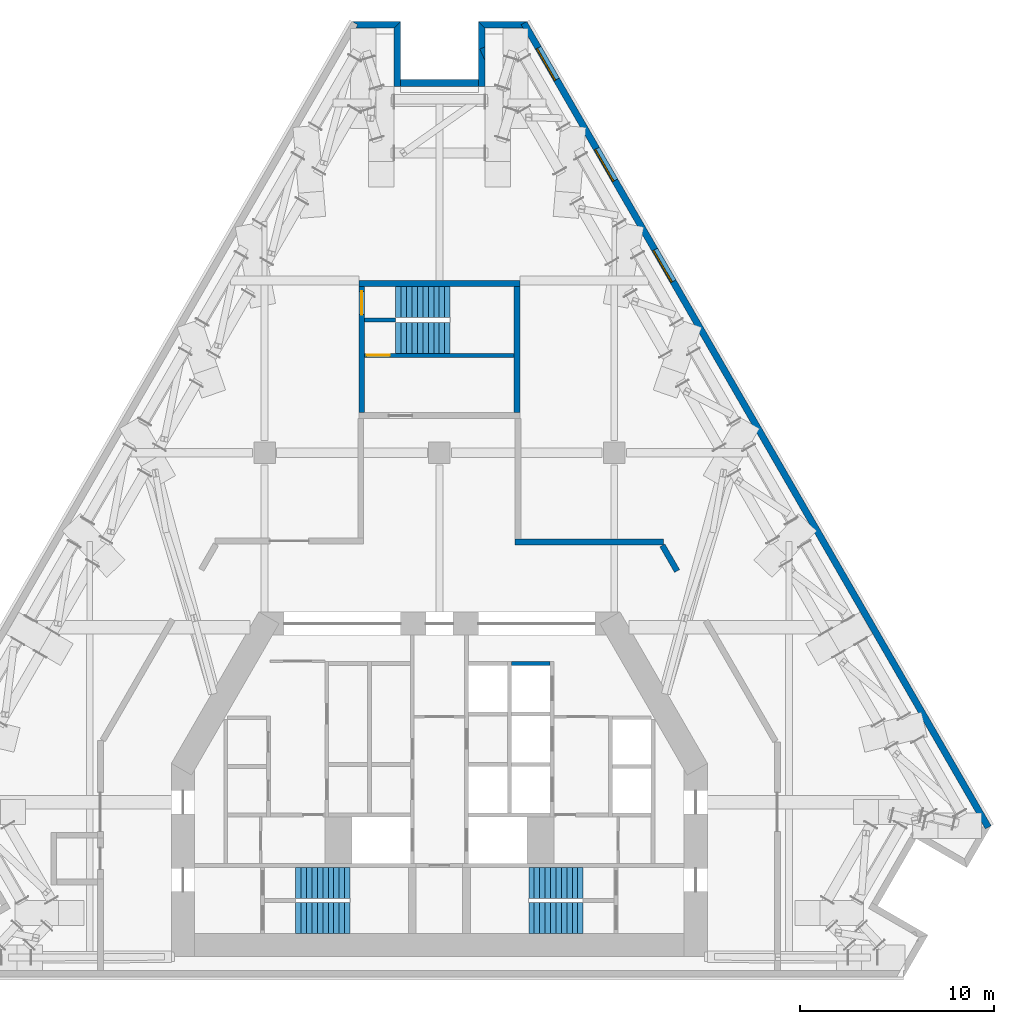
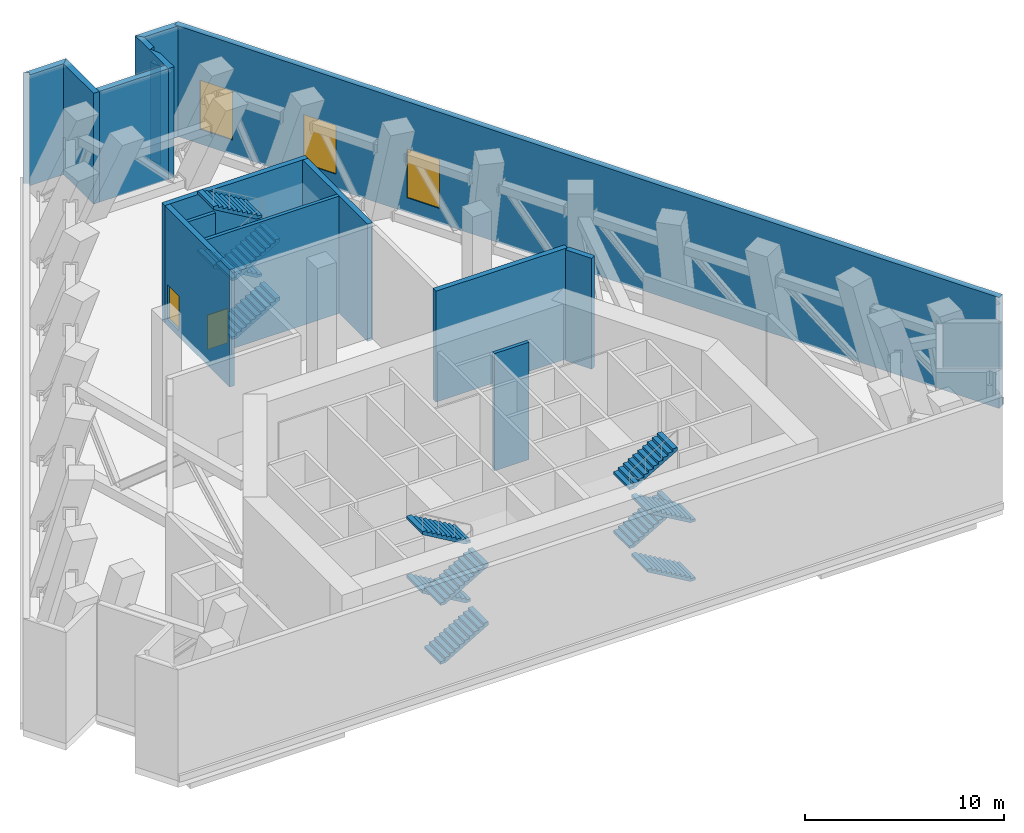
# One storey, part 9 of 13: 15 walls, 12 stair flights, 3 windows, 2 doors, 5 openings, 3 elements without a shape of their own.
"""IFC4 building model written with IfcOpenShell, lengths in metres."""

from ifc_helpers import new_model, si_unit, direction, frame, frame_2d, origin, place, context, subcontext, project, spatial, polyline, rectangle, outline, extrude, material, layer, layer_set, type_object, element, fill, aggregate, save


model = new_model("IFC4")

# Units and contexts
model_context = context("Model", 3, precision=1e-05, world=origin(), true_north=direction((0.0, 1.0)))
body_context = subcontext(model_context, "Body", "Model", "MODEL_VIEW")
ifc_project = project(units=[si_unit("LENGTHUNIT", "METRE"), si_unit("AREAUNIT", "SQUARE_METRE"), si_unit("VOLUMEUNIT", "CUBIC_METRE"), si_unit("PLANEANGLEUNIT", "RADIAN"), si_unit("MASSUNIT", "GRAM", prefix="KILO")], contexts=[model_context])

# Site, building, storey
site_placement = place(None, origin())
site = spatial("IfcSite", under=ifc_project, at=site_placement, CompositionType="ELEMENT")
building_placement = place(site_placement, origin())
building = spatial("IfcBuilding", under=site, at=building_placement, Name="Fogline Exchange Tower", CompositionType="ELEMENT")
storey_placement = place(building_placement, frame((0.0, 0.0, 174.89990234375)))
storey = spatial("IfcBuildingStorey", under=building, at=storey_placement, Name="L39", CompositionType="ELEMENT", Elevation=174.89990234375)

# Wall
ifc_material_1 = material(Name="Concrete C40", Category="concrete")
ifc_layer_1 = layer(ifc_material_1, 0.199951171875)
ifc_layer_set_1 = layer_set([ifc_layer_1], Name="CW20B")
wall_type_1 = type_object("IfcWallType", Name="CW20B", PredefinedType="SOLIDWALL", material=ifc_layer_set_1)
wall_1_placement = place(storey_placement, frame((-3.85009765625, 33.83203125, 0.0), z_axis=(0.0, 0.0, 1.0), x_axis=(1.0, 0.0, 0.0)))
element("IfcWall", 1, at=wall_1_placement, inside=storey, type_object=wall_type_1, Name="Stair separation wall ST3", PredefinedType="SOLIDWALL", context=body_context, shape_type="SweptSolid", body=[
    extrude(rectangle(XDim=1.60009765625, YDim=0.199951171875, at=frame_2d((0.800048828125, 0.0))), origin(), (0.0, 0.0, 1.0), 6.800048828125),
])

# Wall, opening, door
ifc_layer_2 = layer(ifc_material_1, 0.199951171875)
ifc_layer_set_2 = layer_set([ifc_layer_2], Name="CW20R")
wall_type_2 = type_object("IfcWallType", Name="CW20R", PredefinedType="SOLIDWALL", material=ifc_layer_set_2)
wall_2_placement = place(storey_placement, frame((-3.85009765625, 32.007080078125, -0.39990234375), z_axis=(0.0, 0.0, 1.0), x_axis=(1.0, 0.0, 0.0)))
wall_2 = element("IfcWall", 2, at=wall_2_placement, inside=storey, type_object=wall_type_2, Name="Stair enclosure wall ST3", PredefinedType="SOLIDWALL", context=body_context, shape_type="SweptSolid", body=[
    extrude(rectangle(XDim=7.7001953125, YDim=0.199951171875, at=frame_2d((3.85009765625, 0.0))), origin(), (0.0, 0.0, 1.0), 7.199951171875),
])
opening_1_placement = place(wall_2_placement, frame((0.10009765625, 0.0, 0.39990234375)))
opening_1 = element("IfcOpeningElement", 3, at=opening_1_placement, cuts=wall_2, Name="Opening L39-C028", PredefinedType="OPENING", context=body_context, shape_type="SweptSolid", body=[
    extrude(rectangle(XDim=1.199951171875, YDim=2.10009765625, at=frame_2d((0.60009765625, 1.050048828125))), frame((0.0, 0.10986328125, 0.0), z_axis=(0.0, -1.0, 0.0), x_axis=(1.0, 0.0, 0.0)), (0.0, 0.0, 1.0), 0.219970703125),
])
ifc_material_2 = material(Name="Steel and timber fire door", Category="steel")
door_type = type_object("IfcDoorType", Name="D-ST1", OperationType="SINGLE_SWING_LEFT", PredefinedType="DOOR", material=ifc_material_2)
door_1_placement = place(opening_1_placement, origin())
door_1 = element("IfcDoor", 4, at=door_1_placement, inside=storey, type_object=door_type, Name="Stair door ST3", OperationType="SINGLE_SWING_LEFT", OverallHeight=2.10009765625, OverallWidth=1.199951171875, PredefinedType="DOOR", context=body_context, shape_type="SweptSolid", body=[
    extrude(rectangle(XDim=1.199951171875, YDim=2.10009765625, at=frame_2d((0.60009765625, 1.050048828125))), frame((0.0, 0.02490234375, 0.0), z_axis=(0.0, -1.0, 0.0), x_axis=(1.0, 0.0, 0.0)), (0.0, 0.0, 1.0), 0.050048828125),
])
fill(opening_1, door_1)

# Walls
ifc_layer_3 = layer(ifc_material_1, 0.199951171875)
ifc_layer_set_3 = layer_set([ifc_layer_3], Name="CW20S")
wall_type_3 = type_object("IfcWallType", Name="CW20S", PredefinedType="SOLIDWALL", material=ifc_layer_set_3)
wall_3_placement = place(storey_placement, frame((3.699951171875, 16.14990234375, -0.39990234375), z_axis=(0.0, 0.0, 1.0), x_axis=(1.0, 0.0, 0.0)))
element("IfcWall", 5, at=wall_3_placement, inside=storey, type_object=wall_type_3, Name="Lift shaft wall", PredefinedType="SOLIDWALL", context=body_context, shape_type="SweptSolid", body=[
    extrude(rectangle(XDim=2.0, YDim=0.199951171875, at=frame_2d((1.0, 0.0))), origin(), (0.0, 0.0, 1.0), 7.199951171875),
])
ifc_layer_4 = layer(ifc_material_1, 0.300048828125)
ifc_layer_set_4 = layer_set([ifc_layer_4], Name="CW30")
wall_type_4 = type_object("IfcWallType", Name="CW30", PredefinedType="SOLIDWALL", material=ifc_layer_set_4)
wall_4_placement = place(storey_placement, frame((-4.14990234375, 35.70703125, -0.39990234375), z_axis=(0.0, 0.0, 1.0), x_axis=(1.0, 0.0, 0.0)))
element("IfcWall", 6, at=wall_4_placement, inside=storey, type_object=wall_type_4, Name="Stair enclosure wall ST3", PredefinedType="SOLIDWALL", context=body_context, shape_type="SweptSolid", body=[
    extrude(rectangle(XDim=8.2998046875, YDim=0.300048828125, at=frame_2d((4.14990234375, 0.0))), origin(), (0.0, 0.0, 1.0), 7.199951171875),
])

# Wall, opening, door
wall_5_placement = place(storey_placement, frame((-4.0, 29.056884765625, -0.39990234375), z_axis=(0.0, 0.0, 1.0), x_axis=(0.0, 1.0, 0.0)))
wall_5 = element("IfcWall", 7, at=wall_5_placement, inside=storey, type_object=wall_type_4, Name="Stair enclosure wall ST3", PredefinedType="SOLIDWALL", context=body_context, shape_type="SweptSolid", body=[
    extrude(rectangle(XDim=6.5, YDim=0.300048828125, at=frame_2d((3.25, 0.0))), origin(), (0.0, 0.0, 1.0), 7.199951171875),
])
opening_2_placement = place(wall_5_placement, frame((5.050048828125, 0.0, 0.39990234375)))
opening_2 = element("IfcOpeningElement", 8, at=opening_2_placement, cuts=wall_5, Name="Opening L39-C029", PredefinedType="OPENING", context=body_context, shape_type="SweptSolid", body=[
    extrude(rectangle(XDim=1.199951171875, YDim=2.10009765625, at=frame_2d((0.60009765625, 1.050048828125))), frame((0.0, 0.16015625, 0.0), z_axis=(0.0, -1.0, 0.0), x_axis=(1.0, 0.0, 0.0)), (0.0, 0.0, 1.0), 0.320068359375),
])
door_2_placement = place(opening_2_placement, origin())
door_2 = element("IfcDoor", 9, at=door_2_placement, inside=storey, type_object=door_type, Name="Stair arrival door ST3", OperationType="SINGLE_SWING_RIGHT", OverallHeight=2.10009765625, OverallWidth=1.199951171875, PredefinedType="DOOR", context=body_context, shape_type="SweptSolid", body=[
    extrude(rectangle(XDim=1.199951171875, YDim=2.10009765625, at=frame_2d((0.60009765625, 1.050048828125))), frame((0.0, 0.02490234375, 0.0), z_axis=(0.0, -1.0, 0.0), x_axis=(1.0, 0.0, 0.0)), (0.0, 0.0, 1.0), 0.050048828125),
])
fill(opening_2, door_2)

# Wall
wall_6_placement = place(storey_placement, frame((4.0, 29.056884765625, -0.39990234375), z_axis=(0.0, 0.0, 1.0), x_axis=(0.0, 1.0, 0.0)))
element("IfcWall", 10, at=wall_6_placement, inside=storey, type_object=wall_type_4, Name="Stair enclosure wall ST3", PredefinedType="SOLIDWALL", context=body_context, shape_type="SweptSolid", body=[
    extrude(rectangle(XDim=6.5, YDim=0.300048828125, at=frame_2d((3.25, 0.0))), origin(), (0.0, 0.0, 1.0), 7.199951171875),
])

# Wall, openings, windows
ifc_material_3 = material(Name="Brick masonry", Category="masonry")
ifc_layer_5 = layer(ifc_material_3, 0.340087890625)
ifc_layer_set_5 = layer_set([ifc_layer_5], Name="FW3")
wall_type_5 = type_object("IfcWallType", Name="FW3", PredefinedType="SOLIDWALL", material=ifc_layer_set_5)
wall_7_placement = place(storey_placement, frame((28.256591796875, 7.709228515625, 0.0), z_axis=(0.0, 0.0, 1.0), x_axis=(-0.500002420408, 0.866024006357, 0.0)))
wall_7 = element("IfcWall", 11, at=wall_7_placement, inside=storey, type_object=wall_type_5, Name="Brick wall L39 E", PredefinedType="SOLIDWALL", context=body_context, shape_type="SweptSolid", body=[
    extrude(rectangle(XDim=47.807373046875, YDim=0.340087890625, at=frame_2d((23.90380859375, 0.0))), origin(), (0.0, 0.0, 1.0), 6.800048828125),
])
opening_3_placement = place(wall_7_placement, frame((32.451904296875, 0.0, 0.89990234375)))
opening_3 = element("IfcOpeningElement", 12, at=opening_3_placement, cuts=wall_7, Name="Opening W6", PredefinedType="OPENING", context=body_context, shape_type="SweptSolid", body=[
    extrude(rectangle(XDim=1.885009765625, YDim=3.0, at=frame_2d((0.9423828125, 1.5))), frame((0.0, 0.18017578125, 0.0), z_axis=(0.0, -1.0, 0.0), x_axis=(1.0, 0.0, 0.0)), (0.0, 0.0, 1.0), 0.360107421875),
])
opening_4_placement = place(wall_7_placement, frame((38.451904296875, 0.0, 0.89990234375)))
opening_4 = element("IfcOpeningElement", 13, at=opening_4_placement, cuts=wall_7, Name="Opening W6", PredefinedType="OPENING", context=body_context, shape_type="SweptSolid", body=[
    extrude(rectangle(XDim=1.885009765625, YDim=3.0, at=frame_2d((0.9423828125, 1.5))), frame((0.0, 0.18017578125, 0.0), z_axis=(0.0, -1.0, 0.0), x_axis=(1.0, 0.0, 0.0)), (0.0, 0.0, 1.0), 0.360107421875),
])
opening_5_placement = place(wall_7_placement, frame((44.451904296875, 0.0, 0.89990234375)))
opening_5 = element("IfcOpeningElement", 14, at=opening_5_placement, cuts=wall_7, Name="Opening W6", PredefinedType="OPENING", context=body_context, shape_type="SweptSolid", body=[
    extrude(rectangle(XDim=1.885009765625, YDim=3.0, at=frame_2d((0.9423828125, 1.5))), frame((0.0, 0.18017578125, 0.0), z_axis=(0.0, -1.0, 0.0), x_axis=(1.0, 0.0, 0.0)), (0.0, 0.0, 1.0), 0.360107421875),
])
ifc_material_4 = material(Name="Aluminium louvre", Category="aluminium")
window_type = type_object("IfcWindowType", Name="W6", PartitioningType="SINGLE_PANEL", PredefinedType="WINDOW", material=ifc_material_4)
window_1_placement = place(opening_3_placement, origin())
window_1 = element("IfcWindow", 15, at=window_1_placement, inside=storey, type_object=window_type, Name="W6 W6", OverallHeight=3.0, OverallWidth=1.885009765625, PartitioningType="SINGLE_PANEL", PredefinedType="WINDOW", context=body_context, shape_type="SweptSolid", body=[
    extrude(rectangle(XDim=1.885009765625, YDim=3.0, at=frame_2d((0.9423828125, 1.5))), frame((0.0, 0.110107421875, 0.0), z_axis=(0.0, -1.0, 0.0), x_axis=(1.0, 0.0, 0.0)), (0.0, 0.0, 1.0), 0.06005859375),
])
fill(opening_3, window_1)
window_2_placement = place(opening_4_placement, origin())
window_2 = element("IfcWindow", 16, at=window_2_placement, inside=storey, type_object=window_type, Name="W6 W6", OverallHeight=3.0, OverallWidth=1.885009765625, PartitioningType="SINGLE_PANEL", PredefinedType="WINDOW", context=body_context, shape_type="SweptSolid", body=[
    extrude(rectangle(XDim=1.885009765625, YDim=3.0, at=frame_2d((0.9423828125, 1.5))), frame((0.0, 0.110107421875, 0.0), z_axis=(0.0, -1.0, 0.0), x_axis=(1.0, 0.0, 0.0)), (0.0, 0.0, 1.0), 0.06005859375),
])
fill(opening_4, window_2)
window_3_placement = place(opening_5_placement, origin())
window_3 = element("IfcWindow", 17, at=window_3_placement, inside=storey, type_object=window_type, Name="W6 W6", OverallHeight=3.0, OverallWidth=1.885009765625, PartitioningType="SINGLE_PANEL", PredefinedType="WINDOW", context=body_context, shape_type="SweptSolid", body=[
    extrude(rectangle(XDim=1.885009765625, YDim=3.0, at=frame_2d((0.9423828125, 1.5))), frame((0.0, 0.110107421875, 0.0), z_axis=(0.0, -1.0, 0.0), x_axis=(1.0, 0.0, 0.0)), (0.0, 0.0, 1.0), 0.06005859375),
])
fill(opening_5, window_3)

# Walls
wall_8_placement = place(storey_placement, origin())
element("IfcWall", 18, at=wall_8_placement, inside=storey, type_object=wall_type_5, Name="Brick wall L39 N-c1", PredefinedType="SOLIDWALL", context=body_context, shape_type="SweptSolid", body=[
    extrude(outline(polyline([(1.9990234375, 49.197265625), (4.5009765625, 49.197265625), (4.501220703125, 49.19677734375), (4.206298828125, 49.0263671875), (4.3046875, 48.85595703125), (2.33984375, 48.85595703125), (1.998779296875, 49.197021484375), (1.9990234375, 49.197265625)])), origin(), (0.0, 0.0, 1.0), 6.800048828125),
])
wall_9_placement = place(storey_placement, origin())
element("IfcWall", 19, at=wall_9_placement, inside=storey, type_object=wall_type_5, Name="Brick wall L39 N-s1", PredefinedType="SOLIDWALL", context=body_context, shape_type="SweptSolid", body=[
    extrude(outline(polyline([(2.340576171875, 47.19775390625), (2.0791015625, 47.7724609375), (2.340576171875, 47.8916015625), (2.340576171875, 47.19775390625)])), origin(), (0.0, 0.0, 1.0), 6.0),
])
wall_10_placement = place(storey_placement, origin())
element("IfcWall", 20, at=wall_10_placement, inside=storey, type_object=wall_type_5, Name="Brick wall L39 N-s1", PredefinedType="SOLIDWALL", context=body_context, shape_type="SweptSolid", body=[
    extrude(outline(polyline([(1.99951171875, 45.85595703125), (1.99951171875, 49.19775390625), (1.999755859375, 49.19775390625), (2.340576171875, 48.85693359375), (2.340576171875, 47.8916015625), (2.0791015625, 47.7724609375), (2.340576171875, 47.19775390625), (2.340576171875, 45.85595703125), (1.99951171875, 45.85595703125)])), origin(), (0.0, 0.0, 1.0), 6.800048828125),
])
wall_11_placement = place(storey_placement, frame((2.0, 46.026611328125, 0.0), z_axis=(0.0, 0.0, 1.0), x_axis=(-1.0, 0.0, 0.0)))
element("IfcWall", 21, at=wall_11_placement, inside=storey, type_object=wall_type_5, Name="Brick wall L39 N-bk", PredefinedType="SOLIDWALL", context=body_context, shape_type="SweptSolid", body=[
    extrude(rectangle(XDim=4.0, YDim=0.340087890625, at=frame_2d((2.0, 0.0))), origin(), (0.0, 0.0, 1.0), 6.800048828125),
])
wall_12_placement = place(storey_placement, origin())
element("IfcWall", 22, at=wall_12_placement, inside=storey, type_object=wall_type_5, Name="Brick wall L39 N-s2", PredefinedType="SOLIDWALL", context=body_context, shape_type="SweptSolid", body=[
    extrude(outline(polyline([(-1.99951171875, 49.19775390625), (-1.99951171875, 45.85595703125), (-2.340576171875, 45.85595703125), (-2.340576171875, 48.85693359375), (-1.999755859375, 49.19775390625), (-1.99951171875, 49.19775390625)])), origin(), (0.0, 0.0, 1.0), 6.800048828125),
])
wall_13_placement = place(storey_placement, origin())
element("IfcWall", 23, at=wall_13_placement, inside=storey, type_object=wall_type_5, Name="Brick wall L39 N-c2", PredefinedType="SOLIDWALL", context=body_context, shape_type="SweptSolid", body=[
    extrude(outline(polyline([(-4.3046875, 48.85595703125), (-4.206298828125, 49.0263671875), (-4.501220703125, 49.19677734375), (-4.5009765625, 49.197265625), (-1.9990234375, 49.197265625), (-1.998779296875, 49.197021484375), (-2.33984375, 48.85595703125), (-4.3046875, 48.85595703125)])), origin(), (0.0, 0.0, 1.0), 6.800048828125),
])
ifc_layer_6 = layer(ifc_material_1, 0.300048828125)
ifc_layer_set_6 = layer_set([ifc_layer_6], Name="PP4")
wall_type_6 = type_object("IfcWallType", Name="PP4", PredefinedType="SOLIDWALL", material=ifc_layer_set_6)
wall_14_placement = place(storey_placement, frame((3.89990234375, 22.39990234375, 0.0), z_axis=(0.0, 0.0, 1.0), x_axis=(1.0, 0.0, 0.0)))
element("IfcWall", 24, at=wall_14_placement, inside=storey, type_object=wall_type_6, Name="PP4 partition", PredefinedType="SOLIDWALL", context=body_context, shape_type="SweptSolid", body=[
    extrude(rectangle(XDim=7.62451171875, YDim=0.300048828125, at=frame_2d((3.812255859375, 0.0))), origin(), (0.0, 0.0, 1.0), 6.800048828125),
])
wall_15_placement = place(storey_placement, frame((11.47705078125, 22.222412109375, 0.0), z_axis=(0.0, 0.0, 1.0), x_axis=(0.500004885773, -0.866022582964, 0.0)))
element("IfcWall", 25, at=wall_15_placement, inside=storey, type_object=wall_type_6, Name="PP4 partition", PredefinedType="SOLIDWALL", context=body_context, shape_type="SweptSolid", body=[
    extrude(rectangle(XDim=1.521484375, YDim=0.300048828125, at=frame_2d((0.7607421875, 0.0))), origin(), (0.0, 0.0, 1.0), 6.800048828125),
])

# Stair, stair flights
stair_type = type_object("IfcStairType", Name="STR44-1636", PredefinedType="HALF_TURN_STAIR", material=ifc_material_1)
stair_1_placement = place(storey_placement, origin())
stair_1 = element("IfcStair", 26, at=stair_1_placement, inside=storey, type_object=stair_type, Name="Stair ST1", PredefinedType="HALF_TURN_STAIR")
stair_flight_type = type_object("IfcStairFlightType", Name="SF11-1636", PredefinedType="STRAIGHT", material=ifc_material_1)
stair_flight_1_placement = place(storey_placement, frame((-7.39990234375, 3.050048828125, 0.0), z_axis=(0.0, 0.0, 1.0), x_axis=(1.0, 0.0, 0.0)))
stair_flight_1 = element("IfcStairFlight", 27, at=stair_flight_1_placement, type_object=stair_flight_type, Name="ST1 flight 1", NumberOfRisers=11, NumberOfTreads=10, PredefinedType="STRAIGHT", RiserHeight=0.163636364, TreadLength=0.28, context=body_context, shape_type="SweptSolid", body=[
    extrude(outline(polyline([(0.0, 0.0), (0.0, 0.16357421875), (0.280029296875, 0.16357421875), (0.280029296875, 0.327392578125), (0.56005859375, 0.327392578125), (0.56005859375, 0.490966796875), (0.840087890625, 0.490966796875), (0.840087890625, 0.654541015625), (1.1201171875, 0.654541015625), (1.1201171875, 0.818115234375), (1.39990234375, 0.818115234375), (1.39990234375, 0.98193359375), (1.679931640625, 0.98193359375), (1.679931640625, 1.1455078125), (1.9599609375, 1.1455078125), (1.9599609375, 1.30908203125), (2.239990234375, 1.30908203125), (2.239990234375, 1.47265625), (2.52001953125, 1.47265625), (2.52001953125, 1.636474609375), (2.800048828125, 1.636474609375), (2.800048828125, 1.800048828125), (2.800048828125, 1.462646484375), (0.297119140625, 0.0), (0.0, 0.0)])), frame((0.0, 0.800048828125, 0.0), z_axis=(0.0, -1.0, 0.0), x_axis=(1.0, 0.0, 0.0)), (0.0, 0.0, 1.0), 1.60009765625),
])
stair_flight_2_placement = place(storey_placement, frame((-4.60009765625, 4.85009765625, 1.800048828125), z_axis=(0.0, 0.0, 1.0), x_axis=(-1.0, 0.0, 0.0)))
stair_flight_2 = element("IfcStairFlight", 28, at=stair_flight_2_placement, type_object=stair_flight_type, Name="ST1 flight 2", NumberOfRisers=11, NumberOfTreads=10, PredefinedType="STRAIGHT", RiserHeight=0.163636364, TreadLength=0.28, context=body_context, shape_type="SweptSolid", body=[
    extrude(outline(polyline([(0.0, 0.0), (0.0, 0.16357421875), (0.280029296875, 0.16357421875), (0.280029296875, 0.327392578125), (0.56005859375, 0.327392578125), (0.56005859375, 0.490966796875), (0.840087890625, 0.490966796875), (0.840087890625, 0.654541015625), (1.1201171875, 0.654541015625), (1.1201171875, 0.818115234375), (1.39990234375, 0.818115234375), (1.39990234375, 0.98193359375), (1.679931640625, 0.98193359375), (1.679931640625, 1.1455078125), (1.9599609375, 1.1455078125), (1.9599609375, 1.30908203125), (2.239990234375, 1.30908203125), (2.239990234375, 1.47265625), (2.52001953125, 1.47265625), (2.52001953125, 1.636474609375), (2.800048828125, 1.636474609375), (2.800048828125, 1.800048828125), (2.800048828125, 1.462646484375), (0.297119140625, 0.0), (0.0, 0.0)])), frame((0.0, 0.800048828125, 0.0), z_axis=(0.0, -1.0, 0.0), x_axis=(1.0, 0.0, 0.0)), (0.0, 0.0, 1.0), 1.60009765625),
])
stair_flight_3_placement = place(storey_placement, frame((-7.39990234375, 3.050048828125, 3.60009765625), z_axis=(0.0, 0.0, 1.0), x_axis=(1.0, 0.0, 0.0)))
stair_flight_3 = element("IfcStairFlight", 29, at=stair_flight_3_placement, type_object=stair_flight_type, Name="ST1 flight 3", NumberOfRisers=11, NumberOfTreads=10, PredefinedType="STRAIGHT", RiserHeight=0.163636364, TreadLength=0.28, context=body_context, shape_type="SweptSolid", body=[
    extrude(outline(polyline([(0.0, 0.0), (0.0, 0.16357421875), (0.280029296875, 0.16357421875), (0.280029296875, 0.327392578125), (0.56005859375, 0.327392578125), (0.56005859375, 0.490966796875), (0.840087890625, 0.490966796875), (0.840087890625, 0.654541015625), (1.1201171875, 0.654541015625), (1.1201171875, 0.818115234375), (1.39990234375, 0.818115234375), (1.39990234375, 0.98193359375), (1.679931640625, 0.98193359375), (1.679931640625, 1.1455078125), (1.9599609375, 1.1455078125), (1.9599609375, 1.30908203125), (2.239990234375, 1.30908203125), (2.239990234375, 1.47265625), (2.52001953125, 1.47265625), (2.52001953125, 1.636474609375), (2.800048828125, 1.636474609375), (2.800048828125, 1.800048828125), (2.800048828125, 1.462646484375), (0.297119140625, 0.0), (0.0, 0.0)])), frame((0.0, 0.800048828125, 0.0), z_axis=(0.0, -1.0, 0.0), x_axis=(1.0, 0.0, 0.0)), (0.0, 0.0, 1.0), 1.60009765625),
])
stair_flight_4_placement = place(storey_placement, frame((-4.60009765625, 4.85009765625, 5.400146484375), z_axis=(0.0, 0.0, 1.0), x_axis=(-1.0, 0.0, 0.0)))
stair_flight_4 = element("IfcStairFlight", 30, at=stair_flight_4_placement, type_object=stair_flight_type, Name="ST1 flight 4", NumberOfRisers=11, NumberOfTreads=10, PredefinedType="STRAIGHT", RiserHeight=0.163636364, TreadLength=0.28, context=body_context, shape_type="SweptSolid", body=[
    extrude(outline(polyline([(0.0, 0.0), (0.0, 0.16357421875), (0.280029296875, 0.16357421875), (0.280029296875, 0.327392578125), (0.56005859375, 0.327392578125), (0.56005859375, 0.490966796875), (0.840087890625, 0.490966796875), (0.840087890625, 0.654541015625), (1.1201171875, 0.654541015625), (1.1201171875, 0.818115234375), (1.39990234375, 0.818115234375), (1.39990234375, 0.98193359375), (1.679931640625, 0.98193359375), (1.679931640625, 1.1455078125), (1.9599609375, 1.1455078125), (1.9599609375, 1.30908203125), (2.239990234375, 1.30908203125), (2.239990234375, 1.47265625), (2.52001953125, 1.47265625), (2.52001953125, 1.636474609375), (2.800048828125, 1.636474609375), (2.800048828125, 1.800048828125), (2.800048828125, 1.462646484375), (0.297119140625, 0.0), (0.0, 0.0)])), frame((0.0, 0.800048828125, 0.0), z_axis=(0.0, -1.0, 0.0), x_axis=(1.0, 0.0, 0.0)), (0.0, 0.0, 1.0), 1.60009765625),
])
aggregate(stair_1, [stair_flight_1, stair_flight_2, stair_flight_3, stair_flight_4])

stair_2_placement = place(storey_placement, origin())
stair_2 = element("IfcStair", 31, at=stair_2_placement, inside=storey, type_object=stair_type, Name="Stair ST2", PredefinedType="HALF_TURN_STAIR")
stair_flight_5_placement = place(storey_placement, frame((7.39990234375, 3.050048828125, 0.0), z_axis=(0.0, 0.0, 1.0), x_axis=(-1.0, 0.0, 0.0)))
stair_flight_5 = element("IfcStairFlight", 32, at=stair_flight_5_placement, type_object=stair_flight_type, Name="ST2 flight 1", NumberOfRisers=11, NumberOfTreads=10, PredefinedType="STRAIGHT", RiserHeight=0.163636364, TreadLength=0.28, context=body_context, shape_type="SweptSolid", body=[
    extrude(outline(polyline([(0.0, 0.0), (0.0, 0.16357421875), (0.280029296875, 0.16357421875), (0.280029296875, 0.327392578125), (0.56005859375, 0.327392578125), (0.56005859375, 0.490966796875), (0.840087890625, 0.490966796875), (0.840087890625, 0.654541015625), (1.1201171875, 0.654541015625), (1.1201171875, 0.818115234375), (1.39990234375, 0.818115234375), (1.39990234375, 0.98193359375), (1.679931640625, 0.98193359375), (1.679931640625, 1.1455078125), (1.9599609375, 1.1455078125), (1.9599609375, 1.30908203125), (2.239990234375, 1.30908203125), (2.239990234375, 1.47265625), (2.52001953125, 1.47265625), (2.52001953125, 1.636474609375), (2.800048828125, 1.636474609375), (2.800048828125, 1.800048828125), (2.800048828125, 1.462646484375), (0.297119140625, 0.0), (0.0, 0.0)])), frame((0.0, 0.800048828125, 0.0), z_axis=(0.0, -1.0, 0.0), x_axis=(1.0, 0.0, 0.0)), (0.0, 0.0, 1.0), 1.60009765625),
])
stair_flight_6_placement = place(storey_placement, frame((4.60009765625, 4.85009765625, 1.800048828125), z_axis=(0.0, 0.0, 1.0), x_axis=(1.0, 0.0, 0.0)))
stair_flight_6 = element("IfcStairFlight", 33, at=stair_flight_6_placement, type_object=stair_flight_type, Name="ST2 flight 2", NumberOfRisers=11, NumberOfTreads=10, PredefinedType="STRAIGHT", RiserHeight=0.163636364, TreadLength=0.28, context=body_context, shape_type="SweptSolid", body=[
    extrude(outline(polyline([(0.0, 0.0), (0.0, 0.16357421875), (0.280029296875, 0.16357421875), (0.280029296875, 0.327392578125), (0.56005859375, 0.327392578125), (0.56005859375, 0.490966796875), (0.840087890625, 0.490966796875), (0.840087890625, 0.654541015625), (1.1201171875, 0.654541015625), (1.1201171875, 0.818115234375), (1.39990234375, 0.818115234375), (1.39990234375, 0.98193359375), (1.679931640625, 0.98193359375), (1.679931640625, 1.1455078125), (1.9599609375, 1.1455078125), (1.9599609375, 1.30908203125), (2.239990234375, 1.30908203125), (2.239990234375, 1.47265625), (2.52001953125, 1.47265625), (2.52001953125, 1.636474609375), (2.800048828125, 1.636474609375), (2.800048828125, 1.800048828125), (2.800048828125, 1.462646484375), (0.297119140625, 0.0), (0.0, 0.0)])), frame((0.0, 0.800048828125, 0.0), z_axis=(0.0, -1.0, 0.0), x_axis=(1.0, 0.0, 0.0)), (0.0, 0.0, 1.0), 1.60009765625),
])
stair_flight_7_placement = place(storey_placement, frame((7.39990234375, 3.050048828125, 3.60009765625), z_axis=(0.0, 0.0, 1.0), x_axis=(-1.0, 0.0, 0.0)))
stair_flight_7 = element("IfcStairFlight", 34, at=stair_flight_7_placement, type_object=stair_flight_type, Name="ST2 flight 3", NumberOfRisers=11, NumberOfTreads=10, PredefinedType="STRAIGHT", RiserHeight=0.163636364, TreadLength=0.28, context=body_context, shape_type="SweptSolid", body=[
    extrude(outline(polyline([(0.0, 0.0), (0.0, 0.16357421875), (0.280029296875, 0.16357421875), (0.280029296875, 0.327392578125), (0.56005859375, 0.327392578125), (0.56005859375, 0.490966796875), (0.840087890625, 0.490966796875), (0.840087890625, 0.654541015625), (1.1201171875, 0.654541015625), (1.1201171875, 0.818115234375), (1.39990234375, 0.818115234375), (1.39990234375, 0.98193359375), (1.679931640625, 0.98193359375), (1.679931640625, 1.1455078125), (1.9599609375, 1.1455078125), (1.9599609375, 1.30908203125), (2.239990234375, 1.30908203125), (2.239990234375, 1.47265625), (2.52001953125, 1.47265625), (2.52001953125, 1.636474609375), (2.800048828125, 1.636474609375), (2.800048828125, 1.800048828125), (2.800048828125, 1.462646484375), (0.297119140625, 0.0), (0.0, 0.0)])), frame((0.0, 0.800048828125, 0.0), z_axis=(0.0, -1.0, 0.0), x_axis=(1.0, 0.0, 0.0)), (0.0, 0.0, 1.0), 1.60009765625),
])
stair_flight_8_placement = place(storey_placement, frame((4.60009765625, 4.85009765625, 5.400146484375), z_axis=(0.0, 0.0, 1.0), x_axis=(1.0, 0.0, 0.0)))
stair_flight_8 = element("IfcStairFlight", 35, at=stair_flight_8_placement, type_object=stair_flight_type, Name="ST2 flight 4", NumberOfRisers=11, NumberOfTreads=10, PredefinedType="STRAIGHT", RiserHeight=0.163636364, TreadLength=0.28, context=body_context, shape_type="SweptSolid", body=[
    extrude(outline(polyline([(0.0, 0.0), (0.0, 0.16357421875), (0.280029296875, 0.16357421875), (0.280029296875, 0.327392578125), (0.56005859375, 0.327392578125), (0.56005859375, 0.490966796875), (0.840087890625, 0.490966796875), (0.840087890625, 0.654541015625), (1.1201171875, 0.654541015625), (1.1201171875, 0.818115234375), (1.39990234375, 0.818115234375), (1.39990234375, 0.98193359375), (1.679931640625, 0.98193359375), (1.679931640625, 1.1455078125), (1.9599609375, 1.1455078125), (1.9599609375, 1.30908203125), (2.239990234375, 1.30908203125), (2.239990234375, 1.47265625), (2.52001953125, 1.47265625), (2.52001953125, 1.636474609375), (2.800048828125, 1.636474609375), (2.800048828125, 1.800048828125), (2.800048828125, 1.462646484375), (0.297119140625, 0.0), (0.0, 0.0)])), frame((0.0, 0.800048828125, 0.0), z_axis=(0.0, -1.0, 0.0), x_axis=(1.0, 0.0, 0.0)), (0.0, 0.0, 1.0), 1.60009765625),
])
aggregate(stair_2, [stair_flight_5, stair_flight_6, stair_flight_7, stair_flight_8])

stair_3_placement = place(storey_placement, origin())
stair_3 = element("IfcStair", 36, at=stair_3_placement, inside=storey, type_object=stair_type, Name="Stair ST3", PredefinedType="HALF_TURN_STAIR")
stair_flight_9_placement = place(storey_placement, frame((-2.25, 32.906982421875, 0.0), z_axis=(0.0, 0.0, 1.0), x_axis=(1.0, 0.0, 0.0)))
stair_flight_9 = element("IfcStairFlight", 37, at=stair_flight_9_placement, type_object=stair_flight_type, Name="ST3 flight 1", NumberOfRisers=11, NumberOfTreads=10, PredefinedType="STRAIGHT", RiserHeight=0.163636364, TreadLength=0.28, context=body_context, shape_type="SweptSolid", body=[
    extrude(outline(polyline([(0.0, 0.0), (0.0, 0.16357421875), (0.280029296875, 0.16357421875), (0.280029296875, 0.327392578125), (0.56005859375, 0.327392578125), (0.56005859375, 0.490966796875), (0.840087890625, 0.490966796875), (0.840087890625, 0.654541015625), (1.1201171875, 0.654541015625), (1.1201171875, 0.818115234375), (1.39990234375, 0.818115234375), (1.39990234375, 0.98193359375), (1.679931640625, 0.98193359375), (1.679931640625, 1.1455078125), (1.9599609375, 1.1455078125), (1.9599609375, 1.30908203125), (2.239990234375, 1.30908203125), (2.239990234375, 1.47265625), (2.52001953125, 1.47265625), (2.52001953125, 1.636474609375), (2.800048828125, 1.636474609375), (2.800048828125, 1.800048828125), (2.800048828125, 1.462646484375), (0.297119140625, 0.0), (0.0, 0.0)])), frame((0.0, 0.800048828125, 0.0), z_axis=(0.0, -1.0, 0.0), x_axis=(1.0, 0.0, 0.0)), (0.0, 0.0, 1.0), 1.60009765625),
])
stair_flight_10_placement = place(storey_placement, frame((0.550048828125, 34.757080078125, 1.800048828125), z_axis=(0.0, 0.0, 1.0), x_axis=(-1.0, 0.0, 0.0)))
stair_flight_10 = element("IfcStairFlight", 38, at=stair_flight_10_placement, type_object=stair_flight_type, Name="ST3 flight 2", NumberOfRisers=11, NumberOfTreads=10, PredefinedType="STRAIGHT", RiserHeight=0.163636364, TreadLength=0.28, context=body_context, shape_type="SweptSolid", body=[
    extrude(outline(polyline([(0.0, 0.0), (0.0, 0.16357421875), (0.280029296875, 0.16357421875), (0.280029296875, 0.327392578125), (0.56005859375, 0.327392578125), (0.56005859375, 0.490966796875), (0.840087890625, 0.490966796875), (0.840087890625, 0.654541015625), (1.1201171875, 0.654541015625), (1.1201171875, 0.818115234375), (1.39990234375, 0.818115234375), (1.39990234375, 0.98193359375), (1.679931640625, 0.98193359375), (1.679931640625, 1.1455078125), (1.9599609375, 1.1455078125), (1.9599609375, 1.30908203125), (2.239990234375, 1.30908203125), (2.239990234375, 1.47265625), (2.52001953125, 1.47265625), (2.52001953125, 1.636474609375), (2.800048828125, 1.636474609375), (2.800048828125, 1.800048828125), (2.800048828125, 1.462646484375), (0.297119140625, 0.0), (0.0, 0.0)])), frame((0.0, 0.800048828125, 0.0), z_axis=(0.0, -1.0, 0.0), x_axis=(1.0, 0.0, 0.0)), (0.0, 0.0, 1.0), 1.60009765625),
])
stair_flight_11_placement = place(storey_placement, frame((-2.25, 32.906982421875, 3.60009765625), z_axis=(0.0, 0.0, 1.0), x_axis=(1.0, 0.0, 0.0)))
stair_flight_11 = element("IfcStairFlight", 39, at=stair_flight_11_placement, type_object=stair_flight_type, Name="ST3 flight 3", NumberOfRisers=11, NumberOfTreads=10, PredefinedType="STRAIGHT", RiserHeight=0.163636364, TreadLength=0.28, context=body_context, shape_type="SweptSolid", body=[
    extrude(outline(polyline([(0.0, 0.0), (0.0, 0.16357421875), (0.280029296875, 0.16357421875), (0.280029296875, 0.327392578125), (0.56005859375, 0.327392578125), (0.56005859375, 0.490966796875), (0.840087890625, 0.490966796875), (0.840087890625, 0.654541015625), (1.1201171875, 0.654541015625), (1.1201171875, 0.818115234375), (1.39990234375, 0.818115234375), (1.39990234375, 0.98193359375), (1.679931640625, 0.98193359375), (1.679931640625, 1.1455078125), (1.9599609375, 1.1455078125), (1.9599609375, 1.30908203125), (2.239990234375, 1.30908203125), (2.239990234375, 1.47265625), (2.52001953125, 1.47265625), (2.52001953125, 1.636474609375), (2.800048828125, 1.636474609375), (2.800048828125, 1.800048828125), (2.800048828125, 1.462646484375), (0.297119140625, 0.0), (0.0, 0.0)])), frame((0.0, 0.800048828125, 0.0), z_axis=(0.0, -1.0, 0.0), x_axis=(1.0, 0.0, 0.0)), (0.0, 0.0, 1.0), 1.60009765625),
])
stair_flight_12_placement = place(storey_placement, frame((0.550048828125, 34.757080078125, 5.400146484375), z_axis=(0.0, 0.0, 1.0), x_axis=(-1.0, 0.0, 0.0)))
stair_flight_12 = element("IfcStairFlight", 40, at=stair_flight_12_placement, type_object=stair_flight_type, Name="ST3 flight 4", NumberOfRisers=11, NumberOfTreads=10, PredefinedType="STRAIGHT", RiserHeight=0.163636364, TreadLength=0.28, context=body_context, shape_type="SweptSolid", body=[
    extrude(outline(polyline([(0.0, 0.0), (0.0, 0.16357421875), (0.280029296875, 0.16357421875), (0.280029296875, 0.327392578125), (0.56005859375, 0.327392578125), (0.56005859375, 0.490966796875), (0.840087890625, 0.490966796875), (0.840087890625, 0.654541015625), (1.1201171875, 0.654541015625), (1.1201171875, 0.818115234375), (1.39990234375, 0.818115234375), (1.39990234375, 0.98193359375), (1.679931640625, 0.98193359375), (1.679931640625, 1.1455078125), (1.9599609375, 1.1455078125), (1.9599609375, 1.30908203125), (2.239990234375, 1.30908203125), (2.239990234375, 1.47265625), (2.52001953125, 1.47265625), (2.52001953125, 1.636474609375), (2.800048828125, 1.636474609375), (2.800048828125, 1.800048828125), (2.800048828125, 1.462646484375), (0.297119140625, 0.0), (0.0, 0.0)])), frame((0.0, 0.800048828125, 0.0), z_axis=(0.0, -1.0, 0.0), x_axis=(1.0, 0.0, 0.0)), (0.0, 0.0, 1.0), 1.60009765625),
])
aggregate(stair_3, [stair_flight_9, stair_flight_10, stair_flight_11, stair_flight_12])

save(model, "model.ifc")
